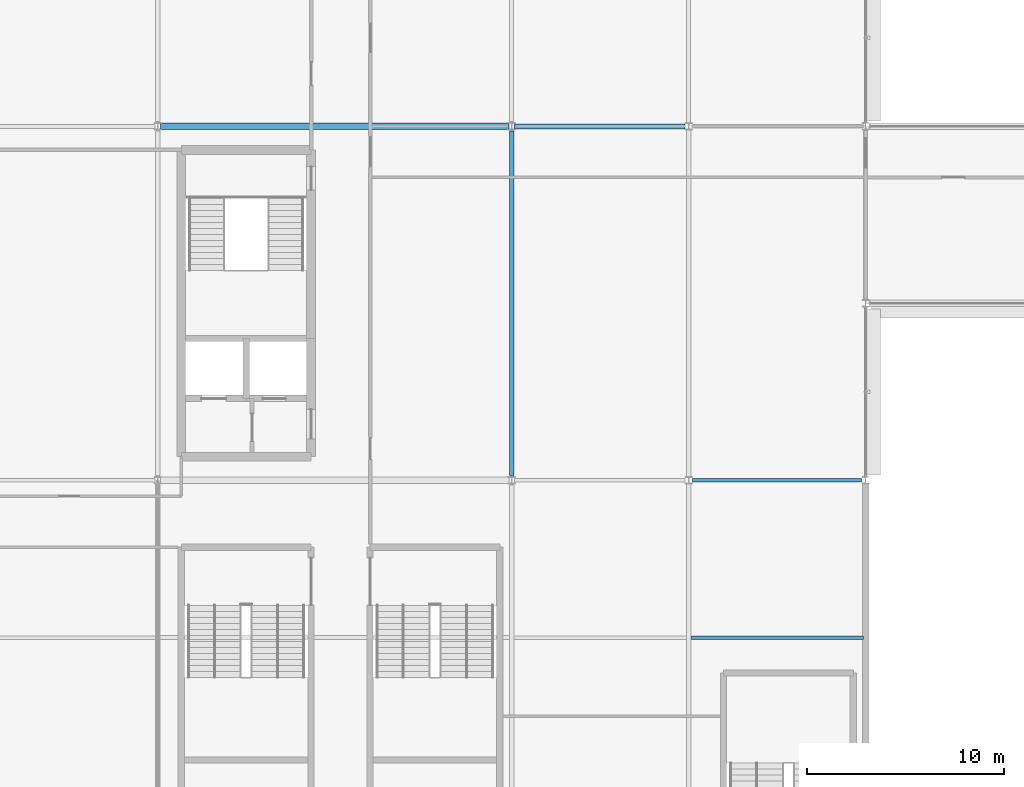
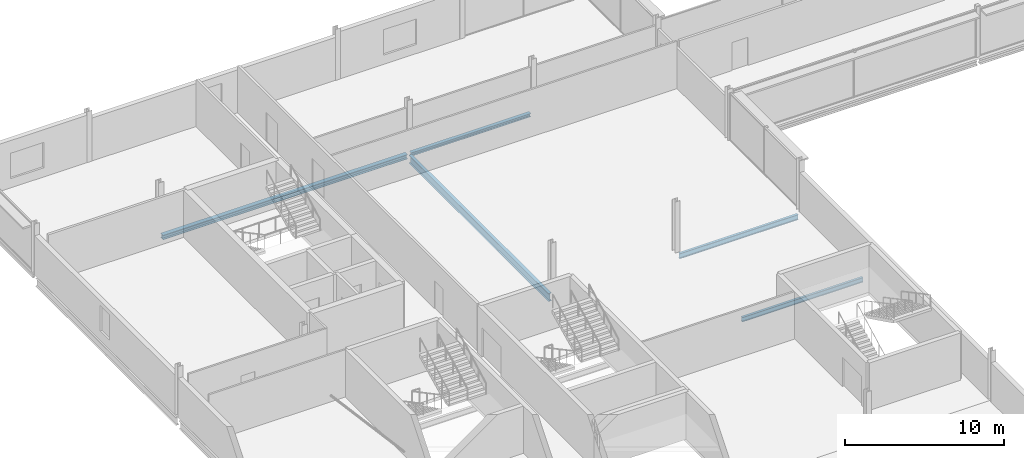
# One storey, part 30 of 98: 5 beams.
"""IFC4 building model written with IfcOpenShell, lengths in metres."""

import ifcopenshell
import ifcopenshell.guid

model = None  # the IFC model being written
_history = None  # IfcOwnerHistory: only IFC2X3 demands one
_inside = {}  # id of a spatial element -> (the spatial element, [elements in it])
_under = {}  # id of a project, library or spatial element -> (it, [spatial elements below it])
_declared = {}  # id of a project -> (the project, [libraries it declares])
_typed = {}  # id of a type object -> (the type object, [elements of that type])
_made_of = {}  # id of a material, layer set ... -> (it, [elements and type objects made of it])


def new_model(schema):
    """Start an empty IFC model of exactly this schema.

    Asked for "IFC4X3", IfcOpenShell would pick the latest addendum, in which some entities
    have other attributes; the version numbers below select the first issue.
    IFC2X3 requires an IfcOwnerHistory on every rooted entity: one is made here for all.
    """
    global model, _history
    if schema == "IFC4X3":
        model = ifcopenshell.file(schema_version=(4, 3, 0, 0))
    else:
        model = ifcopenshell.file(schema=schema)
    _inside.clear()
    _under.clear()
    _declared.clear()
    _typed.clear()
    _made_of.clear()
    _history = None
    if model.schema == "IFC2X3":
        org = make("IfcOrganization", Name="unknown")
        user = make(
            "IfcPersonAndOrganization",
            ThePerson=make("IfcPerson", FamilyName="unknown"),
            TheOrganization=org,
        )
        app = make(
            "IfcApplication",
            ApplicationDeveloper=org,
            Version="unknown",
            ApplicationFullName="unknown",
            ApplicationIdentifier="unknown",
        )
        _history = make(
            "IfcOwnerHistory",
            OwningUser=user,
            OwningApplication=app,
            ChangeAction="ADDED",
            CreationDate=0,
        )
    return model


def make(cls, **values):
    """One entity of the class cls with the attributes given. An attribute that is None is left unset."""
    return model.create_entity(
        cls, **{name: value for name, value in values.items() if value is not None}
    )


def rooted(cls, **values):
    """An entity with a GlobalId (a new one), such as an element, a storey or a relation."""
    return make(cls, GlobalId=ifcopenshell.guid.new(), OwnerHistory=_history, **values)


def si_unit(unit_type, name, prefix=None):
    """IfcSIUnit, for example si_unit("LENGTHUNIT", "METRE", prefix="MILLI")."""
    return make("IfcSIUnit", UnitType=unit_type, Prefix=prefix, Name=name)


def assignment(units):
    """IfcUnitAssignment: the units of a project."""
    return None if units is None else make("IfcUnitAssignment", Units=units)


def point(xyz):
    """IfcCartesianPoint."""
    return None if xyz is None else make("IfcCartesianPoint", Coordinates=xyz)


def direction(xyz):
    """IfcDirection."""
    return None if xyz is None else make("IfcDirection", DirectionRatios=xyz)


def frame(location, z_axis=None, x_axis=None):
    """IfcAxis2Placement3D, a coordinate frame: its origin and axes. An axis left out is left unset."""
    return make(
        "IfcAxis2Placement3D",
        Location=point(location),
        Axis=direction(z_axis),
        RefDirection=direction(x_axis),
    )


def frame_2d(location, x_axis=None):
    """IfcAxis2Placement2D, a coordinate frame in the plane: its origin and x axis."""
    return make(
        "IfcAxis2Placement2D", Location=point(location), RefDirection=direction(x_axis)
    )


def origin():
    """The frame at (0, 0, 0) with its axes left unset."""
    return frame((0.0, 0.0, 0.0))


def origin_2d():
    """The frame at (0, 0) in the plane with its x axis left unset."""
    return frame_2d((0.0, 0.0))


def place(relative_to, where):
    """IfcLocalPlacement: puts the frame where relative to a parent placement (None: the world)."""
    return make(
        "IfcLocalPlacement", PlacementRelTo=relative_to, RelativePlacement=where
    )


def context(
    kind, dimensions, precision=None, world=None, true_north=None, identifier=None
):
    """IfcGeometricRepresentationContext, for example the 3D "Model" context."""
    return make(
        "IfcGeometricRepresentationContext",
        ContextIdentifier=identifier,
        ContextType=kind,
        CoordinateSpaceDimension=dimensions,
        Precision=precision,
        WorldCoordinateSystem=world,
        TrueNorth=true_north,
    )


def subcontext(parent, identifier, kind, view, scale=None):
    """IfcGeometricRepresentationSubContext, for example "Body" below "Model"."""
    return make(
        "IfcGeometricRepresentationSubContext",
        ContextIdentifier=identifier,
        ContextType=kind,
        ParentContext=parent,
        TargetScale=scale,
        TargetView=view,
    )


def project(units=None, contexts=None):
    """IfcProject with its units and contexts."""
    return rooted(
        "IfcProject",
        Name="project",
        RepresentationContexts=contexts,
        UnitsInContext=assignment(units),
    )


def spatial(cls, under=None, at=None, **own):
    """A site, building, storey or space (cls), placed at a placement, below another one or the project."""
    s = rooted(cls, ObjectPlacement=at, **own)
    if under is not None:
        _under.setdefault(under.id(), (under, []))[1].append(s)
    return s


def profile(cls, at=None, kind="AREA", **sizes):
    """A parametric profile (cls). Its sizes go by their IFC names, for example OverallWidth=200.0."""
    return make(cls, ProfileType=kind, Position=at, **sizes)


def i_section(**sizes):
    """IfcIShapeProfileDef."""
    return profile("IfcIShapeProfileDef", **sizes)


def extrude(swept, where, along, depth):
    """IfcExtrudedAreaSolid: the profile swept, set in the frame where, extruded along a direction by depth."""
    return make(
        "IfcExtrudedAreaSolid",
        SweptArea=swept,
        Position=where,
        ExtrudedDirection=direction(along),
        Depth=depth,
    )


def shape(context_of_items, identifier, shape_type, items):
    """IfcShapeRepresentation: the items that make up one representation, for example the "Body"."""
    return make(
        "IfcShapeRepresentation",
        ContextOfItems=context_of_items,
        RepresentationIdentifier=identifier,
        RepresentationType=shape_type,
        Items=items,
    )


def material(Name=None, Category=None):
    """IfcMaterial."""
    return make("IfcMaterial", Name=Name, Category=Category)


def material_profile(
    of_material, cross_section, Name=None, Category=None, Priority=None
):
    """IfcMaterialProfile: a cross section and its material."""
    return make(
        "IfcMaterialProfile",
        Name=Name,
        Material=of_material,
        Profile=cross_section,
        Priority=Priority,
        Category=Category,
    )


def profile_set(profiles, Name=None, composite=None):
    """IfcMaterialProfileSet."""
    return make(
        "IfcMaterialProfileSet",
        Name=Name,
        MaterialProfiles=profiles,
        CompositeProfile=composite,
    )


def made_of(thing, what):
    """Note that an element or type object is made of a material, layer set ...; save() writes the relation."""
    if what is not None:
        _made_of.setdefault(what.id(), (what, []))[1].append(thing)
    return thing


def type_object(cls, material=None, **own):
    """A type object (cls), such as IfcWallType, which elements share."""
    return made_of(rooted(cls, **own), material)


def element(
    cls,
    number,
    at=None,
    inside=None,
    cuts=None,
    type_object=None,
    material=None,
    context=None,
    identifier="Body",
    shape_type=None,
    held_by="IfcProductDefinitionShape",
    body=None,
    shapes=None,
    **own,
):
    """One element of the class cls, such as IfcWall. Its Tag is "e" and its number.

    at: its placement. inside: the storey or other place that contains it. cuts: it is an
    opening in that element (IfcRelVoidsElement). A single representation is given by context,
    identifier, shape_type and body (its items); several are given by shapes. held_by: the class
    of the entity that holds the representations. save() writes the other relations.
    """
    e = rooted(cls, Tag="e%d" % number, ObjectPlacement=at, **own)
    if body is not None:
        shapes = [shape(context, identifier, shape_type, body)]
    if shapes is not None:
        e.Representation = make(held_by, Representations=shapes)
    if inside is not None:
        _inside.setdefault(inside.id(), (inside, []))[1].append(e)
    if cuts is not None:
        rooted(
            "IfcRelVoidsElement", RelatingBuildingElement=cuts, RelatedOpeningElement=e
        )
    if type_object is not None:
        _typed.setdefault(type_object.id(), (type_object, []))[1].append(e)
    return made_of(e, material)


def aggregate(whole, parts):
    """IfcRelAggregates: a whole, such as a stair, and the parts it consists of."""
    return rooted("IfcRelAggregates", RelatingObject=whole, RelatedObjects=parts)


def save(model, path):
    """Write the relations noted so far, then the file.

    IfcRelAggregates (storeys below a building ...), IfcRelContainedInSpatialStructure (elements
    in a storey), IfcRelDefinesByType, IfcRelAssociatesMaterial and IfcRelDeclares: one each for
    every whole, place, type object, material and project.
    """
    for whole, parts in _under.values():
        aggregate(whole, parts)
    for where, things in _inside.values():
        rooted(
            "IfcRelContainedInSpatialStructure",
            RelatedElements=things,
            RelatingStructure=where,
        )
    for kind, things in _typed.values():
        rooted("IfcRelDefinesByType", RelatedObjects=things, RelatingType=kind)
    for what, things in _made_of.values():
        rooted("IfcRelAssociatesMaterial", RelatedObjects=things, RelatingMaterial=what)
    for by, libraries in _declared.values():
        rooted("IfcRelDeclares", RelatingContext=by, RelatedDefinitions=libraries)
    model.write(path)


model = new_model("IFC4")

# Units and contexts
model_context = context("Model", 3, precision=1e-05, world=origin(), true_north=direction((0.0, 1.0)))
body_context = subcontext(model_context, "Body", "Model", "MODEL_VIEW")
ifc_project = project(units=[si_unit("LENGTHUNIT", "METRE"), si_unit("AREAUNIT", "SQUARE_METRE"), si_unit("VOLUMEUNIT", "CUBIC_METRE"), si_unit("PLANEANGLEUNIT", "RADIAN"), si_unit("MASSUNIT", "GRAM", prefix="KILO")], contexts=[model_context])

# Site, building, storey
site_placement = place(None, origin())
site = spatial("IfcSite", under=ifc_project, at=site_placement, CompositionType="ELEMENT")
building_placement = place(site_placement, origin())
building = spatial("IfcBuilding", under=site, at=building_placement, Name="Kisiwana Market Hall", CompositionType="ELEMENT")
storey_placement = place(building_placement, frame((0.0, 0.0, 29.39990234375)))
storey = spatial("IfcBuildingStorey", under=building, at=storey_placement, Name="L06", CompositionType="ELEMENT", Elevation=29.39990234375)

# Beams
ifc_material_1 = material(Name="Steel S355", Category="steel")
ifc_material_profile_1 = material_profile(ifc_material_1, i_section(OverallWidth=0.260009765625, OverallDepth=0.260009765625, WebThickness=0.010009765625, FlangeThickness=0.017578125, FilletRadius=0.02392578125, at=origin_2d()), Name="HEB 260")
ifc_profile_set_1 = profile_set([ifc_material_profile_1], Name="Steel S355")
beam_type_1 = type_object("IfcBeamType", Name="BM-GIRD-HEB260", PredefinedType="BEAM", material=ifc_profile_set_1)
beam_1_placement = place(storey_placement, frame((27.14599609375, 102.0, -0.375), z_axis=(1.0, 0.0, 0.0), x_axis=(0.0, 1.0, 0.0)))
element("IfcBeam", 1, at=beam_1_placement, inside=storey, type_object=beam_type_1, Name="Floor beam B-1829", PredefinedType="BEAM", context=body_context, shape_type="SweptSolid", body=[
    extrude(i_section(OverallWidth=0.260009765625, OverallDepth=0.260009765625, WebThickness=0.010009765625, FlangeThickness=0.017578125, FilletRadius=0.02392578125, at=origin_2d()), origin(), (0.0, 0.0, 1.0), 8.65478515625),
])
ifc_material_2 = material(Name="Steel S355", Category="steel")
ifc_material_profile_2 = material_profile(ifc_material_2, i_section(OverallWidth=0.179931640625, OverallDepth=0.39990234375, WebThickness=0.008544921875, FlangeThickness=0.013427734375, FilletRadius=0.02099609375, at=origin_2d()), Name="IPE 400")
ifc_profile_set_2 = profile_set([ifc_material_profile_2], Name="Steel S355")
beam_type_2 = type_object("IfcBeamType", Name="BM-GIRD-IPE400", PredefinedType="BEAM", material=ifc_profile_set_2)
beam_2_placement = place(storey_placement, frame((36.19921875, 84.0, -0.44482421875), z_axis=(1.0, 0.0, 0.0), x_axis=(0.0, 1.0, 0.0)))
element("IfcBeam", 2, at=beam_2_placement, inside=storey, type_object=beam_type_2, Name="Floor beam B-1816", PredefinedType="BEAM", context=body_context, shape_type="SweptSolid", body=[
    extrude(i_section(OverallWidth=0.179931640625, OverallDepth=0.39990234375, WebThickness=0.008544921875, FlangeThickness=0.013427734375, FilletRadius=0.02099609375, at=origin_2d()), origin(), (0.0, 0.0, 1.0), 8.6015625),
])
ifc_material_3 = material(Name="Steel S355", Category="steel")
ifc_material_profile_3 = material_profile(ifc_material_3, i_section(OverallWidth=0.22900390625, OverallDepth=0.6123046875, WebThickness=0.011962890625, FlangeThickness=0.01953125, at=origin_2d()), Name="UB 610x229x125")
ifc_profile_set_3 = profile_set([ifc_material_profile_3], Name="Steel S355")
beam_type_3 = type_object("IfcBeamType", Name="BM-GIRD-UB610H", PredefinedType="BEAM", material=ifc_profile_set_3)
beam_3_placement = place(storey_placement, frame((27.0, 84.24609375, -0.551025390625), z_axis=(0.0, 1.0, 0.0), x_axis=(-1.0, 0.0, 0.0)))
element("IfcBeam", 3, at=beam_3_placement, inside=storey, type_object=beam_type_3, Name="Primary girder B-1709", PredefinedType="BEAM", context=body_context, shape_type="SweptSolid", body=[
    extrude(i_section(OverallWidth=0.22900390625, OverallDepth=0.6123046875, WebThickness=0.011962890625, FlangeThickness=0.01953125, at=origin_2d()), origin(), (0.0, 0.0, 1.0), 17.5078125),
])
ifc_material_4 = material(Name="Steel S355", Category="steel")
ifc_material_profile_4 = material_profile(ifc_material_4, i_section(OverallWidth=0.17138671875, OverallDepth=0.35498046875, WebThickness=0.00732421875, FlangeThickness=0.011474609375, at=origin_2d()), Name="UB 356x171x51")
ifc_profile_set_4 = profile_set([ifc_material_profile_4], Name="Steel S355")
beam_type_4 = type_object("IfcBeamType", Name="BM-JOIST-UB356", PredefinedType="JOIST", material=ifc_profile_set_4)
beam_4_placement = place(storey_placement, frame((36.113525390625, 76.0, -0.42236328125), z_axis=(1.0, 0.0, 0.0), x_axis=(0.0, 1.0, 0.0)))
element("IfcBeam", 4, at=beam_4_placement, inside=storey, type_object=beam_type_4, Name="Secondary floor joist B-1770", PredefinedType="JOIST", context=body_context, shape_type="SweptSolid", body=[
    extrude(i_section(OverallWidth=0.17138671875, OverallDepth=0.35498046875, WebThickness=0.00732421875, FlangeThickness=0.011474609375, at=origin_2d()), origin(), (0.0, 0.0, 1.0), 8.77294921875),
])
ifc_material_5 = material(Name="Steel S355", Category="steel")
ifc_material_profile_5 = material_profile(ifc_material_5, i_section(OverallWidth=0.314453125, OverallDepth=0.33984375, WebThickness=0.01904296875, FlangeThickness=0.031494140625, at=origin_2d()), Name="UC 305x305x198")
ifc_profile_set_5 = profile_set([ifc_material_profile_5], Name="Steel S355")
beam_type_5 = type_object("IfcBeamType", Name="BM-SKYBR-CHORD", PredefinedType="BEAM", material=ifc_profile_set_5)
beam_5_placement = place(storey_placement, frame((9.14599609375, 102.0, -0.414794921875), z_axis=(1.0, 0.0, 0.0), x_axis=(0.0, 1.0, 0.0)))
element("IfcBeam", 5, at=beam_5_placement, inside=storey, type_object=beam_type_5, Name="Floor beam B-1828", PredefinedType="BEAM", context=body_context, shape_type="SweptSolid", body=[
    extrude(i_section(OverallWidth=0.314453125, OverallDepth=0.33984375, WebThickness=0.01904296875, FlangeThickness=0.031494140625, at=origin_2d()), origin(), (0.0, 0.0, 1.0), 17.7080078125),
])

save(model, "model.ifc")
